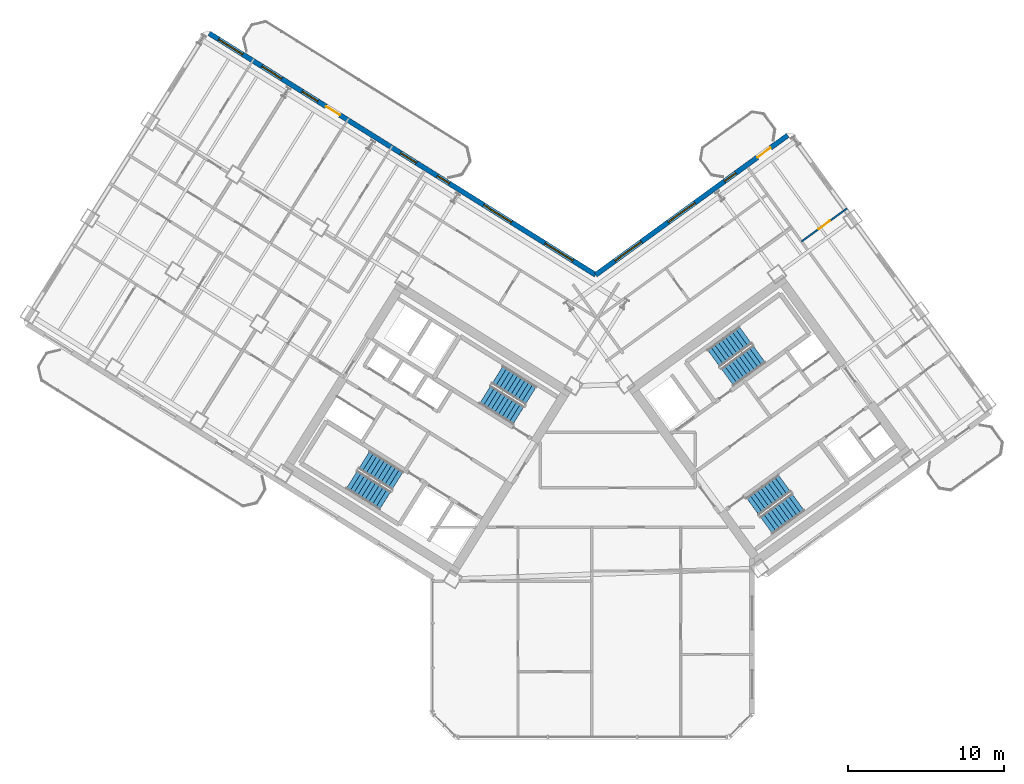
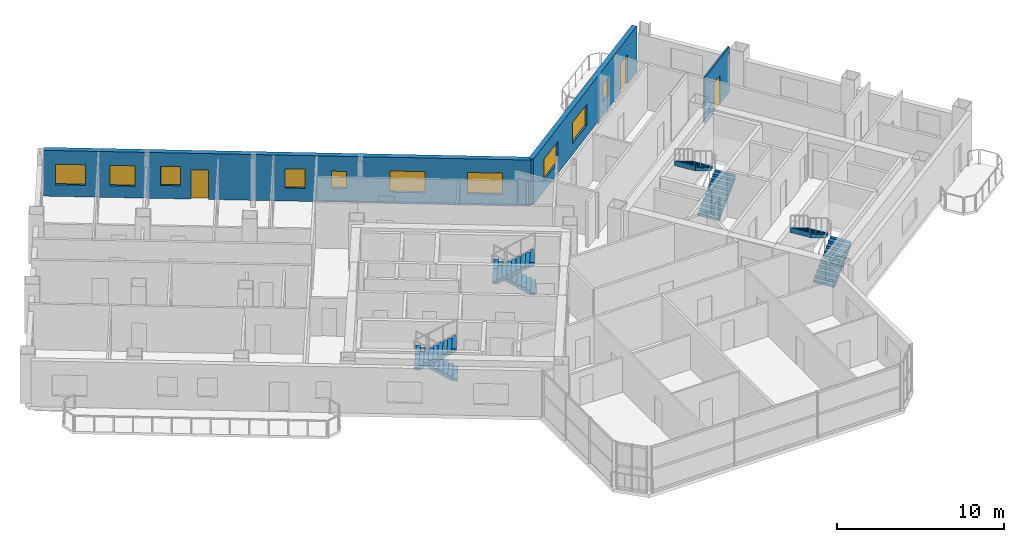
# One storey, part 16 of 20: 10 windows, 8 stair flights, 3 doors, 3 walls, 13 openings, 4 elements without a shape of their own.
"""IFC4 building model written with IfcOpenShell, lengths in metres."""

from ifc_helpers import new_model, si_unit, direction, frame, frame_2d, origin, place, context, subcontext, project, spatial, polyline, rectangle, outline, extrude, source, transform, mapped, material, layer, layer_set, type_object, element, fill, aggregate, save


model = new_model("IFC4")

# Units and contexts
model_context = context("Model", 3, precision=1e-05, world=origin(), true_north=direction((0.0, 1.0)))
body_context = subcontext(model_context, "Body", "Model", "MODEL_VIEW")
ifc_project = project(units=[si_unit("LENGTHUNIT", "METRE"), si_unit("AREAUNIT", "SQUARE_METRE"), si_unit("VOLUMEUNIT", "CUBIC_METRE"), si_unit("PLANEANGLEUNIT", "RADIAN"), si_unit("MASSUNIT", "GRAM", prefix="KILO")], contexts=[model_context])

# Site, building, storey
site_placement = place(None, origin())
site = spatial("IfcSite", under=ifc_project, at=site_placement, CompositionType="ELEMENT")
building_placement = place(site_placement, origin())
building = spatial("IfcBuilding", under=site, at=building_placement, Name="Tlacorven Tower", CompositionType="ELEMENT")
storey_placement = place(building_placement, frame((0.0, 0.0, 116.10009765625)))
storey = spatial("IfcBuildingStorey", under=building, at=storey_placement, Name="L29", CompositionType="ELEMENT", Elevation=116.10009765625)

# Wall, openings, door, windows
ifc_material_1 = material(Name="Precast concrete C45/55", Category="concrete")
ifc_layer_1 = layer(ifc_material_1, 0.320068359375)
ifc_layer_set_1 = layer_set([ifc_layer_1], Name="Precast concrete C45/55")
wall_type_1 = type_object("IfcWallType", Name="WL-EXT-320", PredefinedType="STANDARD", material=ifc_layer_set_1)
wall_1_placement = place(storey_placement, frame((17.423828125, 47.083251953125, 0.0), z_axis=(0.0, 0.0, 1.0), x_axis=(0.848049927979, -0.529916332693, 0.0)))
wall_1 = element("IfcWall", 1, at=wall_1_placement, inside=storey, type_object=wall_type_1, Name="L29 Masonry-Frame Recessed Facade Wall 3", PredefinedType="STANDARD", context=body_context, shape_type="SweptSolid", body=[
    extrude(rectangle(XDim=29.22314453125, YDim=0.320068359375, at=frame_2d((14.611572265625, 0.0))), origin(), (0.0, 0.0, 1.0), 3.349853515625),
])
opening_1_placement = place(wall_1_placement, frame((8.838623046875, 0.0, 0.0)))
opening_1 = element("IfcOpeningElement", 2, at=opening_1_placement, cuts=wall_1, Name="Opening D06", PredefinedType="OPENING", context=body_context, shape_type="SweptSolid", body=[
    extrude(rectangle(XDim=1.050048828125, YDim=2.14990234375, at=frame_2d((0.52490234375, 1.074951171875))), frame((0.0, 0.169921875, 0.0), z_axis=(0.0, -1.0, 0.0), x_axis=(1.0, 0.0, 0.0)), (0.0, 0.0, 1.0), 0.340087890625),
])
opening_2_placement = place(wall_1_placement, frame((0.719482421875, 0.0, 0.85009765625)))
opening_2 = element("IfcOpeningElement", 3, at=opening_2_placement, cuts=wall_1, Name="Opening WN01", PredefinedType="OPENING", context=body_context, shape_type="SweptSolid", body=[
    extrude(rectangle(XDim=1.800048828125, YDim=1.5, at=frame_2d((0.89990234375, 0.75))), frame((0.0, 0.169921875, 0.0), z_axis=(0.0, -1.0, 0.0), x_axis=(1.0, 0.0, 0.0)), (0.0, 0.0, 1.0), 0.340087890625),
])
opening_3_placement = place(wall_1_placement, frame((3.981201171875, 0.0, 0.85009765625)))
opening_3 = element("IfcOpeningElement", 4, at=opening_3_placement, cuts=wall_1, Name="Opening WN02", PredefinedType="OPENING", context=body_context, shape_type="SweptSolid", body=[
    extrude(rectangle(XDim=1.5, YDim=1.5, at=frame_2d((0.75, 0.75))), frame((0.0, 0.169921875, 0.0), z_axis=(0.0, -1.0, 0.0), x_axis=(1.0, 0.0, 0.0)), (0.0, 0.0, 1.0), 0.340087890625),
])
opening_4_placement = place(wall_1_placement, frame((7.021240234375, 0.0, 0.949951171875)))
opening_4 = element("IfcOpeningElement", 5, at=opening_4_placement, cuts=wall_1, Name="Opening WN03", PredefinedType="OPENING", context=body_context, shape_type="SweptSolid", body=[
    extrude(rectangle(XDim=1.199951171875, YDim=1.39990234375, at=frame_2d((0.60009765625, 0.699951171875))), frame((0.0, 0.169921875, 0.0), z_axis=(0.0, -1.0, 0.0), x_axis=(1.0, 0.0, 0.0)), (0.0, 0.0, 1.0), 0.340087890625),
])
opening_5_placement = place(wall_1_placement, frame((14.47119140625, 0.0, 0.949951171875)))
opening_5 = element("IfcOpeningElement", 6, at=opening_5_placement, cuts=wall_1, Name="Opening WN03", PredefinedType="OPENING", context=body_context, shape_type="SweptSolid", body=[
    extrude(rectangle(XDim=1.199951171875, YDim=1.39990234375, at=frame_2d((0.60009765625, 0.699951171875))), frame((0.0, 0.169921875, 0.0), z_axis=(0.0, -1.0, 0.0), x_axis=(1.0, 0.0, 0.0)), (0.0, 0.0, 1.0), 0.340087890625),
])
opening_6_placement = place(wall_1_placement, frame((17.253662109375, 0.0, 1.0)))
opening_6 = element("IfcOpeningElement", 7, at=opening_6_placement, cuts=wall_1, Name="Opening WN05", PredefinedType="OPENING", context=body_context, shape_type="SweptSolid", body=[
    extrude(rectangle(XDim=0.89990234375, YDim=1.25, at=frame_2d((0.449951171875, 0.625))), frame((0.0, 0.169921875, 0.0), z_axis=(0.0, -1.0, 0.0), x_axis=(1.0, 0.0, 0.0)), (0.0, 0.0, 1.0), 0.340087890625),
])
opening_7_placement = place(wall_1_placement, frame((20.763671875, 0.0, 0.800048828125)))
opening_7 = element("IfcOpeningElement", 8, at=opening_7_placement, cuts=wall_1, Name="Opening WN04", PredefinedType="OPENING", context=body_context, shape_type="SweptSolid", body=[
    extrude(rectangle(XDim=2.10009765625, YDim=1.550048828125, at=frame_2d((1.050048828125, 0.77490234375))), frame((0.0, 0.169921875, 0.0), z_axis=(0.0, -1.0, 0.0), x_axis=(1.0, 0.0, 0.0)), (0.0, 0.0, 1.0), 0.340087890625),
])
opening_8_placement = place(wall_1_placement, frame((25.4033203125, 0.0, 0.800048828125)))
opening_8 = element("IfcOpeningElement", 9, at=opening_8_placement, cuts=wall_1, Name="Opening WN04", PredefinedType="OPENING", context=body_context, shape_type="SweptSolid", body=[
    extrude(rectangle(XDim=2.10009765625, YDim=1.550048828125, at=frame_2d((1.050048828125, 0.77490234375))), frame((0.0, 0.169921875, 0.0), z_axis=(0.0, -1.0, 0.0), x_axis=(1.0, 0.0, 0.0)), (0.0, 0.0, 1.0), 0.340087890625),
])
ifc_material_2 = material(Name="Powder-coated aluminium and timber door", Category="wood")
door_type_1 = type_object("IfcDoorType", Name="DR-EXT-BALC-1050", OperationType="NOTDEFINED", PredefinedType="DOOR", material=ifc_material_2)
shared_shape_1 = source(origin(), body_context, "Body", "SweptSolid", [
    extrude(rectangle(XDim=1.050048828125, YDim=2.14990234375, at=frame_2d((0.52490234375, 1.074951171875))), frame((0.0, 0.02490234375, 0.0), z_axis=(0.0, -1.0, 0.0), x_axis=(1.0, 0.0, 0.0)), (0.0, 0.0, 1.0), 0.050048828125),
])
door_1_placement = place(opening_1_placement, origin())
door_1 = element("IfcDoor", 10, at=door_1_placement, inside=storey, type_object=door_type_1, Name="L29 Outdoor Access Door BAL-L29-W-IN", OperationType="SINGLE_SWING_RIGHT", OverallHeight=2.14990234375, OverallWidth=1.050048828125, PredefinedType="DOOR", context=body_context, shape_type="MappedRepresentation", body=[
    mapped(shared_shape_1, transform((0.0, 0.0, 0.0), scale=1.0)),
])
fill(opening_1, door_1)
ifc_material_3 = material(Name="Dark solar low-E double glazing in anodised aluminium frame", Category="aluminium")
window_type_1 = type_object("IfcWindowType", Name="WN-APT-2100X1750", PartitioningType="SINGLE_PANEL", PredefinedType="WINDOW", material=ifc_material_3)
shared_shape_2 = source(origin(), body_context, "Body", "SweptSolid", [
    extrude(rectangle(XDim=2.10009765625, YDim=1.550048828125, at=frame_2d((1.050048828125, 0.77490234375))), frame((0.0, 0.030029296875, 0.0), z_axis=(0.0, -1.0, 0.0), x_axis=(1.0, 0.0, 0.0)), (0.0, 0.0, 1.0), 0.06005859375),
])
window_1_placement = place(opening_7_placement, origin())
window_1 = element("IfcWindow", 11, at=window_1_placement, inside=storey, type_object=window_type_1, Name="L29 Recessed Masonry-Frame Window L29-03.6", OverallHeight=1.550048828125, OverallWidth=2.10009765625, PartitioningType="SINGLE_PANEL", PredefinedType="WINDOW", context=body_context, shape_type="MappedRepresentation", body=[
    mapped(shared_shape_2, transform((0.0, 0.0, 0.0), scale=1.0)),
])
fill(opening_7, window_1)
window_2_placement = place(opening_8_placement, origin())
window_2 = element("IfcWindow", 12, at=window_2_placement, inside=storey, type_object=window_type_1, Name="L29 Recessed Masonry-Frame Window L29-03.7", OverallHeight=1.550048828125, OverallWidth=2.10009765625, PartitioningType="SINGLE_PANEL", PredefinedType="WINDOW", context=body_context, shape_type="MappedRepresentation", body=[
    mapped(shared_shape_2, transform((0.0, 0.0, 0.0), scale=1.0)),
])
fill(opening_8, window_2)
window_type_2 = type_object("IfcWindowType", Name="WN-APT-1200X1500", PartitioningType="SINGLE_PANEL", PredefinedType="WINDOW", material=ifc_material_3)
shared_shape_3 = source(origin(), body_context, "Body", "SweptSolid", [
    extrude(rectangle(XDim=1.199951171875, YDim=1.39990234375, at=frame_2d((0.60009765625, 0.699951171875))), frame((0.0, 0.030029296875, 0.0), z_axis=(0.0, -1.0, 0.0), x_axis=(1.0, 0.0, 0.0)), (0.0, 0.0, 1.0), 0.06005859375),
])
window_3_placement = place(opening_4_placement, origin())
window_3 = element("IfcWindow", 13, at=window_3_placement, inside=storey, type_object=window_type_2, Name="L29 Recessed Masonry-Frame Window L29-03.3", OverallHeight=1.39990234375, OverallWidth=1.199951171875, PartitioningType="SINGLE_PANEL", PredefinedType="WINDOW", context=body_context, shape_type="MappedRepresentation", body=[
    mapped(shared_shape_3, transform((0.0, 0.0, 0.0), scale=1.0)),
])
fill(opening_4, window_3)
window_4_placement = place(opening_5_placement, origin())
window_4 = element("IfcWindow", 14, at=window_4_placement, inside=storey, type_object=window_type_2, Name="L29 Recessed Masonry-Frame Window L29-03.4", OverallHeight=1.39990234375, OverallWidth=1.199951171875, PartitioningType="SINGLE_PANEL", PredefinedType="WINDOW", context=body_context, shape_type="MappedRepresentation", body=[
    mapped(shared_shape_3, transform((0.0, 0.0, 0.0), scale=1.0)),
])
fill(opening_5, window_4)
window_type_3 = type_object("IfcWindowType", Name="WN-APT-1800X1650", PartitioningType="SINGLE_PANEL", PredefinedType="WINDOW", material=ifc_material_3)
shared_shape_4 = source(origin(), body_context, "Body", "SweptSolid", [
    extrude(rectangle(XDim=1.800048828125, YDim=1.5, at=frame_2d((0.89990234375, 0.75))), frame((0.0, 0.030029296875, 0.0), z_axis=(0.0, -1.0, 0.0), x_axis=(1.0, 0.0, 0.0)), (0.0, 0.0, 1.0), 0.06005859375),
])
window_5_placement = place(opening_2_placement, origin())
window_5 = element("IfcWindow", 15, at=window_5_placement, inside=storey, type_object=window_type_3, Name="L29 Recessed Masonry-Frame Window L29-03.1", OverallHeight=1.5, OverallWidth=1.800048828125, PartitioningType="SINGLE_PANEL", PredefinedType="WINDOW", context=body_context, shape_type="MappedRepresentation", body=[
    mapped(shared_shape_4, transform((0.0, 0.0, 0.0), scale=1.0)),
])
fill(opening_2, window_5)
window_type_4 = type_object("IfcWindowType", Name="WN-APT-1500X1650", PartitioningType="SINGLE_PANEL", PredefinedType="WINDOW", material=ifc_material_3)
shared_shape_5 = source(origin(), body_context, "Body", "SweptSolid", [
    extrude(rectangle(XDim=1.5, YDim=1.5, at=frame_2d((0.75, 0.75))), frame((0.0, 0.030029296875, 0.0), z_axis=(0.0, -1.0, 0.0), x_axis=(1.0, 0.0, 0.0)), (0.0, 0.0, 1.0), 0.06005859375),
])
window_6_placement = place(opening_3_placement, origin())
window_6 = element("IfcWindow", 16, at=window_6_placement, inside=storey, type_object=window_type_4, Name="L29 Recessed Masonry-Frame Window L29-03.2", OverallHeight=1.5, OverallWidth=1.5, PartitioningType="SINGLE_PANEL", PredefinedType="WINDOW", context=body_context, shape_type="MappedRepresentation", body=[
    mapped(shared_shape_5, transform((0.0, 0.0, 0.0), scale=1.0)),
])
fill(opening_3, window_6)
window_type_5 = type_object("IfcWindowType", Name="WN-APT-0900X1350", PartitioningType="SINGLE_PANEL", PredefinedType="WINDOW", material=ifc_material_3)
shared_shape_6 = source(origin(), body_context, "Body", "SweptSolid", [
    extrude(rectangle(XDim=0.89990234375, YDim=1.25, at=frame_2d((0.449951171875, 0.625))), frame((0.0, 0.030029296875, 0.0), z_axis=(0.0, -1.0, 0.0), x_axis=(1.0, 0.0, 0.0)), (0.0, 0.0, 1.0), 0.06005859375),
])
window_7_placement = place(opening_6_placement, origin())
window_7 = element("IfcWindow", 17, at=window_7_placement, inside=storey, type_object=window_type_5, Name="L29 Recessed Masonry-Frame Window L29-03.5", OverallHeight=1.25, OverallWidth=0.89990234375, PartitioningType="SINGLE_PANEL", PredefinedType="WINDOW", context=body_context, shape_type="MappedRepresentation", body=[
    mapped(shared_shape_6, transform((0.0, 0.0, 0.0), scale=1.0)),
])
fill(opening_6, window_7)

wall_2_placement = place(storey_placement, frame((42.20654296875, 31.597412109375, 0.0), z_axis=(0.0, 0.0, 1.0), x_axis=(0.809020333377, 0.587780656523, 0.0)))
wall_2 = element("IfcWall", 18, at=wall_2_placement, inside=storey, type_object=wall_type_1, Name="L29 Masonry-Frame Recessed Facade Wall 4", PredefinedType="STANDARD", context=body_context, shape_type="SweptSolid", body=[
    extrude(rectangle(XDim=15.222900390625, YDim=0.320068359375, at=frame_2d((7.611328125, 0.0))), origin(), (0.0, 0.0, 1.0), 3.349853515625),
])
opening_9_placement = place(wall_2_placement, frame((12.81982421875, 0.0, 0.0)))
opening_9 = element("IfcOpeningElement", 19, at=opening_9_placement, cuts=wall_2, Name="Opening D06", PredefinedType="OPENING", context=body_context, shape_type="SweptSolid", body=[
    extrude(rectangle(XDim=1.050048828125, YDim=2.14990234375, at=frame_2d((0.52490234375, 1.074951171875))), frame((0.0, 0.169921875, 0.0), z_axis=(0.0, -1.0, 0.0), x_axis=(1.0, 0.0, 0.0)), (0.0, 0.0, 1.0), 0.340087890625),
])
opening_10_placement = place(wall_2_placement, frame((1.52001953125, 0.0, 0.800048828125)))
opening_10 = element("IfcOpeningElement", 20, at=opening_10_placement, cuts=wall_2, Name="Opening WN04", PredefinedType="OPENING", context=body_context, shape_type="SweptSolid", body=[
    extrude(rectangle(XDim=2.10009765625, YDim=1.550048828125, at=frame_2d((1.050048828125, 0.77490234375))), frame((0.0, 0.169921875, 0.0), z_axis=(0.0, -1.0, 0.0), x_axis=(1.0, 0.0, 0.0)), (0.0, 0.0, 1.0), 0.340087890625),
])
opening_11_placement = place(wall_2_placement, frame((5.759521484375, 0.0, 0.800048828125)))
opening_11 = element("IfcOpeningElement", 21, at=opening_11_placement, cuts=wall_2, Name="Opening WN04", PredefinedType="OPENING", context=body_context, shape_type="SweptSolid", body=[
    extrude(rectangle(XDim=2.10009765625, YDim=1.550048828125, at=frame_2d((1.050048828125, 0.77490234375))), frame((0.0, 0.169921875, 0.0), z_axis=(0.0, -1.0, 0.0), x_axis=(1.0, 0.0, 0.0)), (0.0, 0.0, 1.0), 0.340087890625),
])
opening_12_placement = place(wall_2_placement, frame((10.219482421875, 0.0, 1.0)))
opening_12 = element("IfcOpeningElement", 22, at=opening_12_placement, cuts=wall_2, Name="Opening WN05", PredefinedType="OPENING", context=body_context, shape_type="SweptSolid", body=[
    extrude(rectangle(XDim=0.89990234375, YDim=1.25, at=frame_2d((0.449951171875, 0.625))), frame((0.0, 0.169921875, 0.0), z_axis=(0.0, -1.0, 0.0), x_axis=(1.0, 0.0, 0.0)), (0.0, 0.0, 1.0), 0.340087890625),
])
door_2_placement = place(opening_9_placement, origin())
door_2 = element("IfcDoor", 23, at=door_2_placement, inside=storey, type_object=door_type_1, Name="L29 Outdoor Access Door BAL-L29-E-IN", OperationType="SINGLE_SWING_RIGHT", OverallHeight=2.14990234375, OverallWidth=1.050048828125, PredefinedType="DOOR", context=body_context, shape_type="MappedRepresentation", body=[
    mapped(shared_shape_1, transform((0.0, 0.0, 0.0), scale=1.0)),
])
fill(opening_9, door_2)
window_8_placement = place(opening_10_placement, origin())
window_8 = element("IfcWindow", 24, at=window_8_placement, inside=storey, type_object=window_type_1, Name="L29 Recessed Masonry-Frame Window L29-04.1", OverallHeight=1.550048828125, OverallWidth=2.10009765625, PartitioningType="SINGLE_PANEL", PredefinedType="WINDOW", context=body_context, shape_type="MappedRepresentation", body=[
    mapped(shared_shape_2, transform((0.0, 0.0, 0.0), scale=1.0)),
])
fill(opening_10, window_8)
window_9_placement = place(opening_11_placement, origin())
window_9 = element("IfcWindow", 25, at=window_9_placement, inside=storey, type_object=window_type_1, Name="L29 Recessed Masonry-Frame Window L29-04.2", OverallHeight=1.550048828125, OverallWidth=2.10009765625, PartitioningType="SINGLE_PANEL", PredefinedType="WINDOW", context=body_context, shape_type="MappedRepresentation", body=[
    mapped(shared_shape_2, transform((0.0, 0.0, 0.0), scale=1.0)),
])
fill(opening_11, window_9)
window_10_placement = place(opening_12_placement, origin())
window_10 = element("IfcWindow", 26, at=window_10_placement, inside=storey, type_object=window_type_5, Name="L29 Recessed Masonry-Frame Window L29-04.3", OverallHeight=1.25, OverallWidth=0.89990234375, PartitioningType="SINGLE_PANEL", PredefinedType="WINDOW", context=body_context, shape_type="MappedRepresentation", body=[
    mapped(shared_shape_6, transform((0.0, 0.0, 0.0), scale=1.0)),
])
fill(opening_12, window_10)

# Wall, opening, door
ifc_material_4 = material(Name="Gypsum plasterboard partition", Category="gypsum")
ifc_layer_2 = layer(ifc_material_4, 0.110107421875)
ifc_layer_set_2 = layer_set([ifc_layer_2], Name="Gypsum plasterboard partition")
wall_type_2 = type_object("IfcWallType", Name="WL-INT-110", PredefinedType="PARTITIONING", material=ifc_layer_set_2)
wall_3_placement = place(storey_placement, frame((55.40869140625, 33.73828125, 0.0), z_axis=(0.0, 0.0, 1.0), x_axis=(0.809005039917, 0.58780170584, 0.0)))
wall_3 = element("IfcWall", 27, at=wall_3_placement, inside=storey, type_object=wall_type_2, Name="L29 partition 94", PredefinedType="PARTITIONING", context=body_context, shape_type="SweptSolid", body=[
    extrude(rectangle(XDim=3.610107421875, YDim=0.110107421875, at=frame_2d((1.80517578125, 0.0))), origin(), (0.0, 0.0, 1.0), 3.33984375),
])
opening_13_placement = place(wall_3_placement, frame((1.344970703125, 0.0, 0.0)))
opening_13 = element("IfcOpeningElement", 28, at=opening_13_placement, cuts=wall_3, Name="Opening D12", PredefinedType="OPENING", context=body_context, shape_type="SweptSolid", body=[
    extrude(rectangle(XDim=0.919921875, YDim=2.080078125, at=frame_2d((0.4599609375, 1.0400390625))), frame((0.0, 0.06494140625, 0.0), z_axis=(0.0, -1.0, 0.0), x_axis=(1.0, 0.0, 0.0)), (0.0, 0.0, 1.0), 0.130126953125),
])
door_type_2 = type_object("IfcDoorType", Name="DR-INT-ROOM-0920", OperationType="NOTDEFINED", PredefinedType="DOOR", material=ifc_material_2)
shared_shape_7 = source(origin(), body_context, "Body", "SweptSolid", [
    extrude(rectangle(XDim=0.919921875, YDim=2.080078125, at=frame_2d((0.4599609375, 1.0400390625))), frame((0.0, 0.02490234375, 0.0), z_axis=(0.0, -1.0, 0.0), x_axis=(1.0, 0.0, 0.0)), (0.0, 0.0, 1.0), 0.050048828125),
])
door_3_placement = place(opening_13_placement, origin())
door_3 = element("IfcDoor", 29, at=door_3_placement, inside=storey, type_object=door_type_2, Name="L29 door 059", OperationType="SINGLE_SWING_LEFT", OverallHeight=2.080078125, OverallWidth=0.919921875, PredefinedType="DOOR", context=body_context, shape_type="MappedRepresentation", body=[
    mapped(shared_shape_7, transform((0.0, 0.0, 0.0), scale=1.0)),
])
fill(opening_13, door_3)

# Stair, stair flights
ifc_material_5 = material(Name="Concrete C40/50", Category="concrete")
stair_type = type_object("IfcStairType", Name="ST-CORE-DLG", PredefinedType="HALF_TURN_STAIR", material=ifc_material_5)
stair_1_placement = place(storey_placement, origin())
stair_1 = element("IfcStair", 30, at=stair_1_placement, inside=storey, type_object=stair_type, Name="L29 Protected Exit Stair West 1", PredefinedType="HALF_TURN_STAIR")
stair_flight_type = type_object("IfcStairFlightType", Name="SFL-RC-1380", PredefinedType="STRAIGHT", material=ifc_material_5)
shared_shape_8 = source(origin(), body_context, "Body", "SweptSolid", [
    extrude(outline(polyline([(-0.0029296875, -0.0029296875), (-0.0029296875, 0.179931640625), (0.280029296875, 0.179931640625), (0.280029296875, 0.360107421875), (0.56005859375, 0.360107421875), (0.56005859375, 0.5400390625), (0.840087890625, 0.5400390625), (0.840087890625, 0.719970703125), (1.1201171875, 0.719970703125), (1.1201171875, 0.89990234375), (1.39990234375, 0.89990234375), (1.39990234375, 1.080078125), (1.679931640625, 1.080078125), (1.679931640625, 1.260009765625), (1.9599609375, 1.260009765625), (1.9599609375, 1.43994140625), (2.239990234375, 1.43994140625), (2.239990234375, 1.6201171875), (2.52001953125, 1.6201171875), (2.52001953125, 1.800048828125), (2.52294921875, 1.800048828125), (2.52294921875, 1.429931640625), (2.52001953125, 1.429931640625), (0.295654296875, 0.0), (0.295654296875, -0.0029296875), (-0.0029296875, -0.0029296875)])), frame((0.0, 0.68994140625, 0.0), z_axis=(0.0, -1.0, 0.0), x_axis=(1.0, 0.0, 0.0)), (0.0, 0.0, 1.0), 1.3798828125),
])
stair_flight_1_placement = place(storey_placement, frame((29.499755859375, 18.39453125, 0.0), z_axis=(0.0, 0.0, 1.0), x_axis=(-0.848048096156, 0.529919264233, 0.0)))
stair_flight_1 = element("IfcStairFlight", 31, at=stair_flight_1_placement, type_object=stair_flight_type, Name="ST-W1 flight 1", NumberOfRisers=10, NumberOfTreads=9, PredefinedType="STRAIGHT", RiserHeight=0.18, TreadLength=0.28, context=body_context, shape_type="MappedRepresentation", body=[
    mapped(shared_shape_8, transform((0.0, 0.0, 0.0), scale=1.0)),
])
stair_flight_2_placement = place(storey_placement, frame((26.56787109375, 18.4580078125, 1.7998046875), z_axis=(0.0, 0.0, 1.0), x_axis=(0.848048096156, -0.529919264233, 0.0)))
stair_flight_2 = element("IfcStairFlight", 32, at=stair_flight_2_placement, type_object=stair_flight_type, Name="ST-W1 flight 2", NumberOfRisers=10, NumberOfTreads=9, PredefinedType="STRAIGHT", RiserHeight=0.18, TreadLength=0.28, context=body_context, shape_type="MappedRepresentation", body=[
    mapped(shared_shape_8, transform((0.0, 0.0, 0.0), scale=1.0)),
])
aggregate(stair_1, [stair_flight_1, stair_flight_2])

stair_2_placement = place(storey_placement, origin())
stair_2 = element("IfcStair", 33, at=stair_2_placement, inside=storey, type_object=stair_type, Name="L29 Protected Exit Stair West 2", PredefinedType="HALF_TURN_STAIR")
stair_flight_3_placement = place(storey_placement, frame((38.051513671875, 23.852294921875, 0.0), z_axis=(0.0, 0.0, 1.0), x_axis=(-0.848048096156, 0.529919264233, 0.0)))
stair_flight_3 = element("IfcStairFlight", 34, at=stair_flight_3_placement, type_object=stair_flight_type, Name="ST-W2 flight 1", NumberOfRisers=10, NumberOfTreads=9, PredefinedType="STRAIGHT", RiserHeight=0.18, TreadLength=0.28, context=body_context, shape_type="MappedRepresentation", body=[
    mapped(shared_shape_8, transform((0.0, 0.0, 0.0), scale=1.0)),
])
stair_flight_4_placement = place(storey_placement, frame((35.119384765625, 23.91552734375, 1.7998046875), z_axis=(0.0, 0.0, 1.0), x_axis=(0.848048096156, -0.529919264233, 0.0)))
stair_flight_4 = element("IfcStairFlight", 35, at=stair_flight_4_placement, type_object=stair_flight_type, Name="ST-W2 flight 2", NumberOfRisers=10, NumberOfTreads=9, PredefinedType="STRAIGHT", RiserHeight=0.18, TreadLength=0.28, context=body_context, shape_type="MappedRepresentation", body=[
    mapped(shared_shape_8, transform((0.0, 0.0, 0.0), scale=1.0)),
])
aggregate(stair_2, [stair_flight_3, stair_flight_4])

stair_3_placement = place(storey_placement, origin())
stair_3 = element("IfcStair", 36, at=stair_3_placement, inside=storey, type_object=stair_type, Name="L29 Protected Exit Stair East 1", PredefinedType="HALF_TURN_STAIR")
stair_flight_5_placement = place(storey_placement, frame((50.6533203125, 25.0400390625, 0.0), z_axis=(0.0, 0.0, 1.0), x_axis=(0.809016994375, 0.587785252292, 0.0)))
stair_flight_5 = element("IfcStairFlight", 37, at=stair_flight_5_placement, type_object=stair_flight_type, Name="ST-E1 flight 1", NumberOfRisers=10, NumberOfTreads=9, PredefinedType="STRAIGHT", RiserHeight=0.18, TreadLength=0.28, context=body_context, shape_type="MappedRepresentation", body=[
    mapped(shared_shape_8, transform((0.0, 0.0, 0.0), scale=1.0)),
])
stair_flight_6_placement = place(storey_placement, frame((51.810546875, 27.734619140625, 1.7998046875), z_axis=(0.0, 0.0, 1.0), x_axis=(-0.809016994375, -0.587785252292, 0.0)))
stair_flight_6 = element("IfcStairFlight", 38, at=stair_flight_6_placement, type_object=stair_flight_type, Name="ST-E1 flight 2", NumberOfRisers=10, NumberOfTreads=9, PredefinedType="STRAIGHT", RiserHeight=0.18, TreadLength=0.28, context=body_context, shape_type="MappedRepresentation", body=[
    mapped(shared_shape_8, transform((0.0, 0.0, 0.0), scale=1.0)),
])
aggregate(stair_3, [stair_flight_5, stair_flight_6])

stair_4_placement = place(storey_placement, origin())
stair_4 = element("IfcStair", 39, at=stair_4_placement, inside=storey, type_object=stair_type, Name="L29 Protected Exit Stair East 2", PredefinedType="HALF_TURN_STAIR")
stair_flight_7_placement = place(storey_placement, frame((53.157470703125, 15.536865234375, 0.0), z_axis=(0.0, 0.0, 1.0), x_axis=(0.809016994375, 0.587785252292, 0.0)))
stair_flight_7 = element("IfcStairFlight", 40, at=stair_flight_7_placement, type_object=stair_flight_type, Name="ST-E2 flight 1", NumberOfRisers=10, NumberOfTreads=9, PredefinedType="STRAIGHT", RiserHeight=0.18, TreadLength=0.28, context=body_context, shape_type="MappedRepresentation", body=[
    mapped(shared_shape_8, transform((0.0, 0.0, 0.0), scale=1.0)),
])
stair_flight_8_placement = place(storey_placement, frame((54.314453125, 18.231689453125, 1.7998046875), z_axis=(0.0, 0.0, 1.0), x_axis=(-0.809016994375, -0.587785252292, 0.0)))
stair_flight_8 = element("IfcStairFlight", 41, at=stair_flight_8_placement, type_object=stair_flight_type, Name="ST-E2 flight 2", NumberOfRisers=10, NumberOfTreads=9, PredefinedType="STRAIGHT", RiserHeight=0.18, TreadLength=0.28, context=body_context, shape_type="MappedRepresentation", body=[
    mapped(shared_shape_8, transform((0.0, 0.0, 0.0), scale=1.0)),
])
aggregate(stair_4, [stair_flight_7, stair_flight_8])

save(model, "model.ifc")
